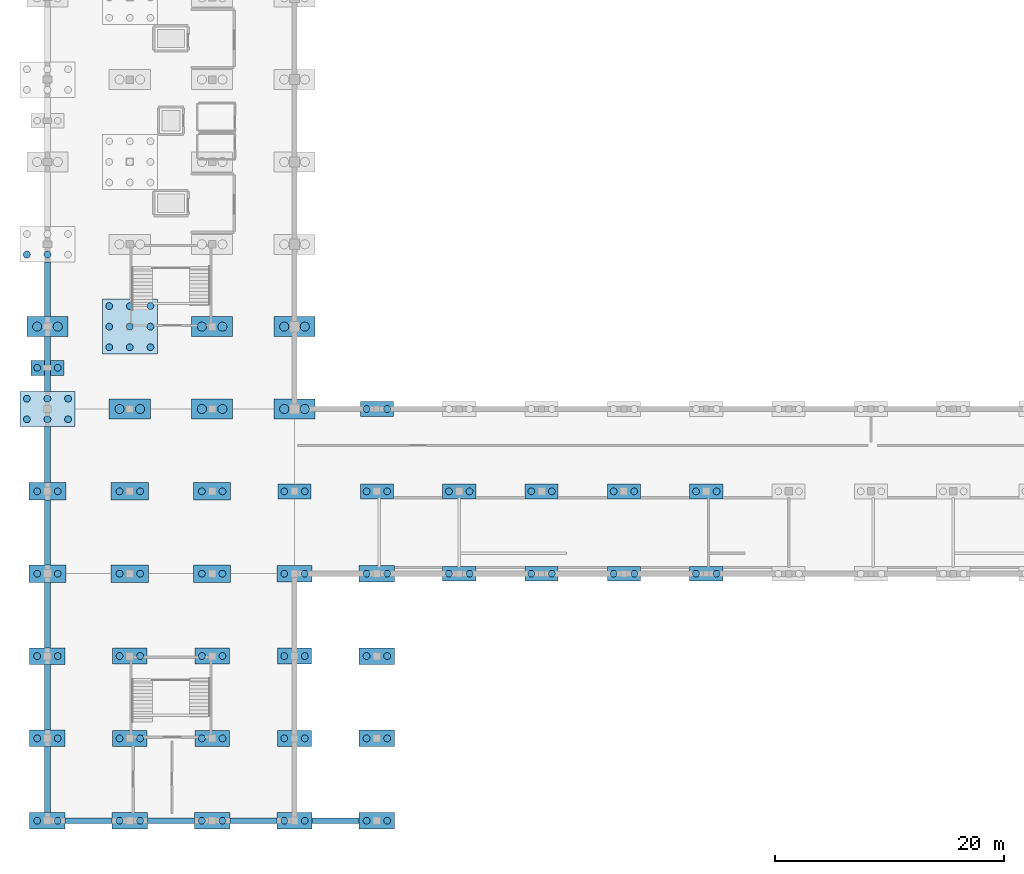
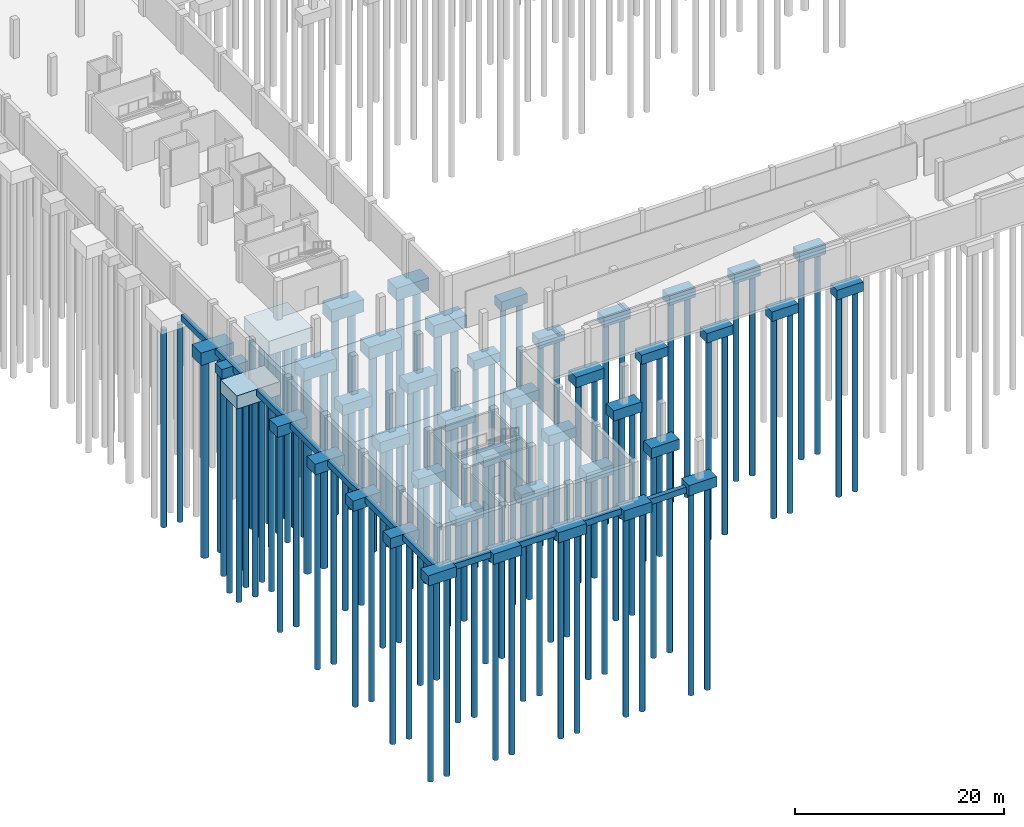
# One storey, part 1 of 18: 99 piles, 54 footings.
"""IFC4 building model written with IfcOpenShell, lengths in metres."""

from ifc_helpers import new_model, si_unit, direction, frame, origin, origin_2d, place, context, subcontext, project, spatial, rectangle, circle, extrude, material, material_profile, profile_set, type_object, element, save


model = new_model("IFC4")

# Units and contexts
model_context = context("Model", 3, precision=1e-05, world=origin(), true_north=direction((0.0, 1.0)))
body_context = subcontext(model_context, "Body", "Model", "MODEL_VIEW")
ifc_project = project(units=[si_unit("LENGTHUNIT", "METRE"), si_unit("AREAUNIT", "SQUARE_METRE"), si_unit("VOLUMEUNIT", "CUBIC_METRE"), si_unit("PLANEANGLEUNIT", "RADIAN"), si_unit("MASSUNIT", "GRAM", prefix="KILO")], contexts=[model_context])

# Site, building, storey
site_placement = place(None, origin())
site = spatial("IfcSite", under=ifc_project, at=site_placement, CompositionType="ELEMENT")
building_placement = place(site_placement, origin())
building = spatial("IfcBuilding", under=site, at=building_placement, Name="Kangsadwip Square Police Headquarters", CompositionType="ELEMENT")
storey_placement = place(building_placement, frame((0.0, 0.0, -4.5)))
storey = spatial("IfcBuildingStorey", under=building, at=storey_placement, Name="B1", CompositionType="ELEMENT", Elevation=-4.5)

# Piles
ifc_material_1 = material(Name="Concrete M30 (30 MPa)", Category="concrete")
ifc_material_profile_1 = material_profile(ifc_material_1, circle(Radius=0.300048828125, at=origin_2d()), Name="PILE DIA 600")
ifc_profile_set_1 = profile_set([ifc_material_profile_1], Name="Concrete M30 (30 MPa)")
pile_type_1 = type_object("IfcPileType", Name="BoredPileDia600", PredefinedType="BORED", material=ifc_profile_set_1)
for number, where, z_axis, x_axis, name in (
    (1, (-0.89990234375, 0.0, -1.550048828125), (0.0, 0.0, -1.0), (1.0, 0.0, 0.0), "Bored Pile PILE-B1--009-0000"),
    (2, (0.89990234375, 0.0, -1.550048828125), (0.0, 0.0, -1.0), (1.0, 0.0, 0.0), "Bored Pile PILE-B1-0009-0000"),
    (3, (-0.89990234375, 7.199951171875, -1.550048828125), (0.0, 0.0, -1.0), (1.0, 0.0, 0.0), "Bored Pile PILE-B1--009-0072"),
    (4, (0.89990234375, 7.199951171875, -1.550048828125), (0.0, 0.0, -1.0), (1.0, 0.0, 0.0), "Bored Pile PILE-B1-0009-0072"),
    (5, (-0.89990234375, 14.39990234375, -1.550048828125), (0.0, 0.0, -1.0), (1.0, 0.0, 0.0), "Bored Pile PILE-B1--009-0144"),
    (6, (0.89990234375, 14.39990234375, -1.550048828125), (0.0, 0.0, -1.0), (1.0, 0.0, 0.0), "Bored Pile PILE-B1-0009-0144"),
):
    element("IfcPile", number, at=place(storey_placement, frame(where, z_axis=z_axis, x_axis=x_axis)), inside=storey, type_object=pile_type_1, Name=name, PredefinedType="BORED", context=body_context, shape_type="SweptSolid", body=[
        extrude(circle(Radius=0.300048828125, at=origin_2d()), origin(), (0.0, 0.0, 1.0), 23.449951171875),
    ])
for number, where, z_axis, x_axis, name in (
    (7, (-0.89990234375, 21.60009765625, -1.60009765625), (0.0, 0.0, -1.0), (1.0, 0.0, 0.0), "Bored Pile PILE-B1--009-0216"),
    (8, (0.89990234375, 21.60009765625, -1.60009765625), (0.0, 0.0, -1.0), (1.0, 0.0, 0.0), "Bored Pile PILE-B1-0009-0216"),
    (9, (-0.89990234375, 28.800048828125, -1.60009765625), (0.0, 0.0, -1.0), (1.0, 0.0, 0.0), "Bored Pile PILE-B1--009-0288"),
    (10, (0.89990234375, 28.800048828125, -1.60009765625), (0.0, 0.0, -1.0), (1.0, 0.0, 0.0), "Bored Pile PILE-B1-0009-0288"),
):
    element("IfcPile", number, at=place(storey_placement, frame(where, z_axis=z_axis, x_axis=x_axis)), inside=storey, type_object=pile_type_1, Name=name, PredefinedType="BORED", context=body_context, shape_type="SweptSolid", body=[
        extrude(circle(Radius=0.300048828125, at=origin_2d()), origin(), (0.0, 0.0, 1.0), 23.39990234375),
    ])
for number, where, z_axis, x_axis, name in (
    (11, (-1.800048828125, 35.10009765625, -1.89990234375), (0.0, 0.0, -1.0), (1.0, 0.0, 0.0), "Bored Pile PILE-B1--018-0351"),
    (12, (0.0, 35.10009765625, -1.89990234375), (0.0, 0.0, -1.0), (1.0, 0.0, 0.0), "Bored Pile PILE-B1-0000-0351"),
    (13, (1.800048828125, 35.10009765625, -1.89990234375), (0.0, 0.0, -1.0), (1.0, 0.0, 0.0), "Bored Pile PILE-B1-0018-0351"),
    (14, (-1.800048828125, 36.89990234375, -1.89990234375), (0.0, 0.0, -1.0), (1.0, 0.0, 0.0), "Bored Pile PILE-B1--018-0369"),
    (15, (0.0, 36.89990234375, -1.89990234375), (0.0, 0.0, -1.0), (1.0, 0.0, 0.0), "Bored Pile PILE-B1-0000-0369"),
    (16, (1.800048828125, 36.89990234375, -1.89990234375), (0.0, 0.0, -1.0), (1.0, 0.0, 0.0), "Bored Pile PILE-B1-0018-0369"),
    (17, (-1.800048828125, 49.5, -1.89990234375), (0.0, 0.0, -1.0), (1.0, 0.0, 0.0), "Bored Pile PILE-B1--018-0495"),
    (18, (0.0, 49.5, -1.89990234375), (0.0, 0.0, -1.0), (1.0, 0.0, 0.0), "Bored Pile PILE-B1-0000-0495"),
):
    element("IfcPile", number, at=place(storey_placement, frame(where, z_axis=z_axis, x_axis=x_axis)), inside=storey, type_object=pile_type_1, Name=name, PredefinedType="BORED", context=body_context, shape_type="SweptSolid", body=[
        extrude(circle(Radius=0.300048828125, at=origin_2d()), origin(), (0.0, 0.0, 1.0), 23.10009765625),
    ])
for number, where, z_axis, x_axis, name in (
    (19, (6.300048828125, 0.0, -1.550048828125), (0.0, 0.0, -1.0), (1.0, 0.0, 0.0), "Bored Pile PILE-B1-0063-0000"),
    (20, (8.10009765625, 0.0, -1.550048828125), (0.0, 0.0, -1.0), (1.0, 0.0, 0.0), "Bored Pile PILE-B1-0081-0000"),
):
    element("IfcPile", number, at=place(storey_placement, frame(where, z_axis=z_axis, x_axis=x_axis)), inside=storey, type_object=pile_type_1, Name=name, PredefinedType="BORED", context=body_context, shape_type="SweptSolid", body=[
        extrude(circle(Radius=0.300048828125, at=origin_2d()), origin(), (0.0, 0.0, 1.0), 23.449951171875),
    ])
for number, where, z_axis, x_axis, name in (
    (21, (6.300048828125, 7.199951171875, -1.5), (0.0, 0.0, -1.0), (1.0, 0.0, 0.0), "Bored Pile PILE-B1-0063-0072"),
    (22, (8.10009765625, 7.199951171875, -1.5), (0.0, 0.0, -1.0), (1.0, 0.0, 0.0), "Bored Pile PILE-B1-0081-0072"),
    (23, (6.300048828125, 14.39990234375, -1.5), (0.0, 0.0, -1.0), (1.0, 0.0, 0.0), "Bored Pile PILE-B1-0063-0144"),
    (24, (8.10009765625, 14.39990234375, -1.5), (0.0, 0.0, -1.0), (1.0, 0.0, 0.0), "Bored Pile PILE-B1-0081-0144"),
):
    element("IfcPile", number, at=place(storey_placement, frame(where, z_axis=z_axis, x_axis=x_axis)), inside=storey, type_object=pile_type_1, Name=name, PredefinedType="BORED", context=body_context, shape_type="SweptSolid", body=[
        extrude(circle(Radius=0.300048828125, at=origin_2d()), origin(), (0.0, 0.0, 1.0), 23.5),
    ])
for number, where, z_axis, x_axis, name in (
    (25, (6.300048828125, 21.60009765625, -1.60009765625), (0.0, 0.0, -1.0), (1.0, 0.0, 0.0), "Bored Pile PILE-B1-0063-0216"),
    (26, (8.10009765625, 21.60009765625, -1.60009765625), (0.0, 0.0, -1.0), (1.0, 0.0, 0.0), "Bored Pile PILE-B1-0081-0216"),
    (27, (6.300048828125, 28.800048828125, -1.60009765625), (0.0, 0.0, -1.0), (1.0, 0.0, 0.0), "Bored Pile PILE-B1-0063-0288"),
    (28, (8.10009765625, 28.800048828125, -1.60009765625), (0.0, 0.0, -1.0), (1.0, 0.0, 0.0), "Bored Pile PILE-B1-0081-0288"),
):
    element("IfcPile", number, at=place(storey_placement, frame(where, z_axis=z_axis, x_axis=x_axis)), inside=storey, type_object=pile_type_1, Name=name, PredefinedType="BORED", context=body_context, shape_type="SweptSolid", body=[
        extrude(circle(Radius=0.300048828125, at=origin_2d()), origin(), (0.0, 0.0, 1.0), 23.39990234375),
    ])
for number, where, z_axis, x_axis, name in (
    (29, (5.39990234375, 41.39990234375, -2.0), (0.0, 0.0, -1.0), (1.0, 0.0, 0.0), "Bored Pile PILE-B1-0054-0414"),
    (30, (7.199951171875, 41.39990234375, -2.0), (0.0, 0.0, -1.0), (1.0, 0.0, 0.0), "Bored Pile PILE-B1-0072-0414"),
    (31, (9.0, 41.39990234375, -2.0), (0.0, 0.0, -1.0), (1.0, 0.0, 0.0), "Bored Pile PILE-B1-0090-0414"),
    (32, (5.39990234375, 43.199951171875, -2.0), (0.0, 0.0, -1.0), (1.0, 0.0, 0.0), "Bored Pile PILE-B1-0054-0432"),
    (33, (7.199951171875, 43.199951171875, -2.0), (0.0, 0.0, -1.0), (1.0, 0.0, 0.0), "Bored Pile PILE-B1-0072-0432"),
    (34, (9.0, 43.199951171875, -2.0), (0.0, 0.0, -1.0), (1.0, 0.0, 0.0), "Bored Pile PILE-B1-0090-0432"),
    (35, (5.39990234375, 45.0, -2.0), (0.0, 0.0, -1.0), (1.0, 0.0, 0.0), "Bored Pile PILE-B1-0054-0450"),
    (36, (7.199951171875, 45.0, -2.0), (0.0, 0.0, -1.0), (1.0, 0.0, 0.0), "Bored Pile PILE-B1-0072-0450"),
    (37, (9.0, 45.0, -2.0), (0.0, 0.0, -1.0), (1.0, 0.0, 0.0), "Bored Pile PILE-B1-0090-0450"),
):
    element("IfcPile", number, at=place(storey_placement, frame(where, z_axis=z_axis, x_axis=x_axis)), inside=storey, type_object=pile_type_1, Name=name, PredefinedType="BORED", context=body_context, shape_type="SweptSolid", body=[
        extrude(circle(Radius=0.300048828125, at=origin_2d()), origin(), (0.0, 0.0, 1.0), 23.0),
    ])
for number, where, z_axis, x_axis, name in (
    (38, (13.5, 0.0, -1.550048828125), (0.0, 0.0, -1.0), (1.0, 0.0, 0.0), "Bored Pile PILE-B1-0135-0000"),
    (39, (15.300048828125, 0.0, -1.550048828125), (0.0, 0.0, -1.0), (1.0, 0.0, 0.0), "Bored Pile PILE-B1-0153-0000"),
):
    element("IfcPile", number, at=place(storey_placement, frame(where, z_axis=z_axis, x_axis=x_axis)), inside=storey, type_object=pile_type_1, Name=name, PredefinedType="BORED", context=body_context, shape_type="SweptSolid", body=[
        extrude(circle(Radius=0.300048828125, at=origin_2d()), origin(), (0.0, 0.0, 1.0), 23.449951171875),
    ])
for number, where, z_axis, x_axis, name in (
    (40, (13.5, 7.199951171875, -1.5), (0.0, 0.0, -1.0), (1.0, 0.0, 0.0), "Bored Pile PILE-B1-0135-0072"),
    (41, (15.300048828125, 7.199951171875, -1.5), (0.0, 0.0, -1.0), (1.0, 0.0, 0.0), "Bored Pile PILE-B1-0153-0072"),
    (42, (13.5, 14.39990234375, -1.5), (0.0, 0.0, -1.0), (1.0, 0.0, 0.0), "Bored Pile PILE-B1-0135-0144"),
    (43, (15.300048828125, 14.39990234375, -1.5), (0.0, 0.0, -1.0), (1.0, 0.0, 0.0), "Bored Pile PILE-B1-0153-0144"),
):
    element("IfcPile", number, at=place(storey_placement, frame(where, z_axis=z_axis, x_axis=x_axis)), inside=storey, type_object=pile_type_1, Name=name, PredefinedType="BORED", context=body_context, shape_type="SweptSolid", body=[
        extrude(circle(Radius=0.300048828125, at=origin_2d()), origin(), (0.0, 0.0, 1.0), 23.5),
    ])
for number, where, z_axis, x_axis, name in (
    (44, (13.5, 21.60009765625, -1.60009765625), (0.0, 0.0, -1.0), (1.0, 0.0, 0.0), "Bored Pile PILE-B1-0135-0216"),
    (45, (15.300048828125, 21.60009765625, -1.60009765625), (0.0, 0.0, -1.0), (1.0, 0.0, 0.0), "Bored Pile PILE-B1-0153-0216"),
    (46, (13.5, 28.800048828125, -1.60009765625), (0.0, 0.0, -1.0), (1.0, 0.0, 0.0), "Bored Pile PILE-B1-0135-0288"),
    (47, (15.300048828125, 28.800048828125, -1.60009765625), (0.0, 0.0, -1.0), (1.0, 0.0, 0.0), "Bored Pile PILE-B1-0153-0288"),
):
    element("IfcPile", number, at=place(storey_placement, frame(where, z_axis=z_axis, x_axis=x_axis)), inside=storey, type_object=pile_type_1, Name=name, PredefinedType="BORED", context=body_context, shape_type="SweptSolid", body=[
        extrude(circle(Radius=0.300048828125, at=origin_2d()), origin(), (0.0, 0.0, 1.0), 23.39990234375),
    ])
for number, where, z_axis, x_axis, name in (
    (48, (20.699951171875, 0.0, -1.550048828125), (0.0, 0.0, -1.0), (1.0, 0.0, 0.0), "Bored Pile PILE-B1-0207-0000"),
    (49, (22.5, 0.0, -1.550048828125), (0.0, 0.0, -1.0), (1.0, 0.0, 0.0), "Bored Pile PILE-B1-0225-0000"),
):
    element("IfcPile", number, at=place(storey_placement, frame(where, z_axis=z_axis, x_axis=x_axis)), inside=storey, type_object=pile_type_1, Name=name, PredefinedType="BORED", context=body_context, shape_type="SweptSolid", body=[
        extrude(circle(Radius=0.300048828125, at=origin_2d()), origin(), (0.0, 0.0, 1.0), 23.449951171875),
    ])
for number, where, z_axis, x_axis, name in (
    (50, (20.699951171875, 7.199951171875, -1.5), (0.0, 0.0, -1.0), (1.0, 0.0, 0.0), "Bored Pile PILE-B1-0207-0072"),
    (51, (22.5, 7.199951171875, -1.5), (0.0, 0.0, -1.0), (1.0, 0.0, 0.0), "Bored Pile PILE-B1-0225-0072"),
    (52, (20.699951171875, 14.39990234375, -1.5), (0.0, 0.0, -1.0), (1.0, 0.0, 0.0), "Bored Pile PILE-B1-0207-0144"),
    (53, (22.5, 14.39990234375, -1.5), (0.0, 0.0, -1.0), (1.0, 0.0, 0.0), "Bored Pile PILE-B1-0225-0144"),
):
    element("IfcPile", number, at=place(storey_placement, frame(where, z_axis=z_axis, x_axis=x_axis)), inside=storey, type_object=pile_type_1, Name=name, PredefinedType="BORED", context=body_context, shape_type="SweptSolid", body=[
        extrude(circle(Radius=0.300048828125, at=origin_2d()), origin(), (0.0, 0.0, 1.0), 23.5),
    ])
for number, where, z_axis, x_axis, name in (
    (54, (20.699951171875, 21.60009765625, -1.550048828125), (0.0, 0.0, -1.0), (1.0, 0.0, 0.0), "Bored Pile PILE-B1-0207-0216"),
    (55, (22.5, 21.60009765625, -1.550048828125), (0.0, 0.0, -1.0), (1.0, 0.0, 0.0), "Bored Pile PILE-B1-0225-0216"),
):
    element("IfcPile", number, at=place(storey_placement, frame(where, z_axis=z_axis, x_axis=x_axis)), inside=storey, type_object=pile_type_1, Name=name, PredefinedType="BORED", context=body_context, shape_type="SweptSolid", body=[
        extrude(circle(Radius=0.300048828125, at=origin_2d()), origin(), (0.0, 0.0, 1.0), 23.449951171875),
    ])
for number, where, z_axis, x_axis, name in (
    (56, (20.699951171875, 28.800048828125, -1.449951171875), (0.0, 0.0, -1.0), (1.0, 0.0, 0.0), "Bored Pile PILE-B1-0207-0288"),
    (57, (22.5, 28.800048828125, -1.449951171875), (0.0, 0.0, -1.0), (1.0, 0.0, 0.0), "Bored Pile PILE-B1-0225-0288"),
):
    element("IfcPile", number, at=place(storey_placement, frame(where, z_axis=z_axis, x_axis=x_axis)), inside=storey, type_object=pile_type_1, Name=name, PredefinedType="BORED", context=body_context, shape_type="SweptSolid", body=[
        extrude(circle(Radius=0.300048828125, at=origin_2d()), origin(), (0.0, 0.0, 1.0), 23.550048828125),
    ])
for number, where, z_axis, x_axis, name in (
    (58, (27.89990234375, 0.0, -1.10009765625), (0.0, 0.0, -1.0), (1.0, 0.0, 0.0), "Bored Pile PILE-B1-0279-0000"),
    (59, (29.699951171875, 0.0, -1.10009765625), (0.0, 0.0, -1.0), (1.0, 0.0, 0.0), "Bored Pile PILE-B1-0297-0000"),
    (60, (27.89990234375, 7.199951171875, -1.10009765625), (0.0, 0.0, -1.0), (1.0, 0.0, 0.0), "Bored Pile PILE-B1-0279-0072"),
    (61, (29.699951171875, 7.199951171875, -1.10009765625), (0.0, 0.0, -1.0), (1.0, 0.0, 0.0), "Bored Pile PILE-B1-0297-0072"),
    (62, (27.89990234375, 14.39990234375, -1.10009765625), (0.0, 0.0, -1.0), (1.0, 0.0, 0.0), "Bored Pile PILE-B1-0279-0144"),
    (63, (29.699951171875, 14.39990234375, -1.10009765625), (0.0, 0.0, -1.0), (1.0, 0.0, 0.0), "Bored Pile PILE-B1-0297-0144"),
):
    element("IfcPile", number, at=place(storey_placement, frame(where, z_axis=z_axis, x_axis=x_axis)), inside=storey, type_object=pile_type_1, Name=name, PredefinedType="BORED", context=body_context, shape_type="SweptSolid", body=[
        extrude(circle(Radius=0.300048828125, at=origin_2d()), origin(), (0.0, 0.0, 1.0), 23.89990234375),
    ])
for number, where, z_axis, x_axis, name in (
    (64, (27.89990234375, 21.60009765625, -1.550048828125), (0.0, 0.0, -1.0), (1.0, 0.0, 0.0), "Bored Pile PILE-B1-0279-0216"),
    (65, (29.699951171875, 21.60009765625, -1.550048828125), (0.0, 0.0, -1.0), (1.0, 0.0, 0.0), "Bored Pile PILE-B1-0297-0216"),
):
    element("IfcPile", number, at=place(storey_placement, frame(where, z_axis=z_axis, x_axis=x_axis)), inside=storey, type_object=pile_type_1, Name=name, PredefinedType="BORED", context=body_context, shape_type="SweptSolid", body=[
        extrude(circle(Radius=0.300048828125, at=origin_2d()), origin(), (0.0, 0.0, 1.0), 23.449951171875),
    ])
for number, where, z_axis, x_axis, name in (
    (66, (27.89990234375, 28.800048828125, -1.449951171875), (0.0, 0.0, -1.0), (1.0, 0.0, 0.0), "Bored Pile PILE-B1-0279-0288"),
    (67, (29.699951171875, 28.800048828125, -1.449951171875), (0.0, 0.0, -1.0), (1.0, 0.0, 0.0), "Bored Pile PILE-B1-0297-0288"),
    (68, (27.89990234375, 36.0, -1.449951171875), (0.0, 0.0, -1.0), (1.0, 0.0, 0.0), "Bored Pile PILE-B1-0279-0360"),
    (69, (29.699951171875, 36.0, -1.449951171875), (0.0, 0.0, -1.0), (1.0, 0.0, 0.0), "Bored Pile PILE-B1-0297-0360"),
    (70, (35.10009765625, 21.60009765625, -1.449951171875), (0.0, 0.0, -1.0), (1.0, 0.0, 0.0), "Bored Pile PILE-B1-0351-0216"),
    (71, (36.89990234375, 21.60009765625, -1.449951171875), (0.0, 0.0, -1.0), (1.0, 0.0, 0.0), "Bored Pile PILE-B1-0369-0216"),
    (72, (35.10009765625, 28.800048828125, -1.449951171875), (0.0, 0.0, -1.0), (1.0, 0.0, 0.0), "Bored Pile PILE-B1-0351-0288"),
    (73, (36.89990234375, 28.800048828125, -1.449951171875), (0.0, 0.0, -1.0), (1.0, 0.0, 0.0), "Bored Pile PILE-B1-0369-0288"),
    (74, (42.300048828125, 21.60009765625, -1.449951171875), (0.0, 0.0, -1.0), (1.0, 0.0, 0.0), "Bored Pile PILE-B1-0423-0216"),
    (75, (44.10009765625, 21.60009765625, -1.449951171875), (0.0, 0.0, -1.0), (1.0, 0.0, 0.0), "Bored Pile PILE-B1-0441-0216"),
    (76, (42.300048828125, 28.800048828125, -1.449951171875), (0.0, 0.0, -1.0), (1.0, 0.0, 0.0), "Bored Pile PILE-B1-0423-0288"),
    (77, (44.10009765625, 28.800048828125, -1.449951171875), (0.0, 0.0, -1.0), (1.0, 0.0, 0.0), "Bored Pile PILE-B1-0441-0288"),
    (78, (49.5, 21.60009765625, -1.449951171875), (0.0, 0.0, -1.0), (1.0, 0.0, 0.0), "Bored Pile PILE-B1-0495-0216"),
    (79, (51.300048828125, 21.60009765625, -1.449951171875), (0.0, 0.0, -1.0), (1.0, 0.0, 0.0), "Bored Pile PILE-B1-0513-0216"),
    (80, (49.5, 28.800048828125, -1.449951171875), (0.0, 0.0, -1.0), (1.0, 0.0, 0.0), "Bored Pile PILE-B1-0495-0288"),
    (81, (51.300048828125, 28.800048828125, -1.449951171875), (0.0, 0.0, -1.0), (1.0, 0.0, 0.0), "Bored Pile PILE-B1-0513-0288"),
    (82, (56.699951171875, 21.60009765625, -1.449951171875), (0.0, 0.0, -1.0), (1.0, 0.0, 0.0), "Bored Pile PILE-B1-0567-0216"),
    (83, (58.5, 21.60009765625, -1.449951171875), (0.0, 0.0, -1.0), (1.0, 0.0, 0.0), "Bored Pile PILE-B1-0585-0216"),
    (84, (56.699951171875, 28.800048828125, -1.449951171875), (0.0, 0.0, -1.0), (1.0, 0.0, 0.0), "Bored Pile PILE-B1-0567-0288"),
    (85, (58.5, 28.800048828125, -1.449951171875), (0.0, 0.0, -1.0), (1.0, 0.0, 0.0), "Bored Pile PILE-B1-0585-0288"),
    (86, (-0.89990234375, 39.60009765625, -1.449951171875), (0.0, 0.0, -1.0), (1.0, 0.0, 0.0), "Bored Pile PILE-B1--009-0396"),
    (87, (0.89990234375, 39.60009765625, -1.449951171875), (0.0, 0.0, -1.0), (1.0, 0.0, 0.0), "Bored Pile PILE-B1-0009-0396"),
):
    element("IfcPile", number, at=place(storey_placement, frame(where, z_axis=z_axis, x_axis=x_axis)), inside=storey, type_object=pile_type_1, Name=name, PredefinedType="BORED", context=body_context, shape_type="SweptSolid", body=[
        extrude(circle(Radius=0.300048828125, at=origin_2d()), origin(), (0.0, 0.0, 1.0), 23.550048828125),
    ])
ifc_material_2 = material(Name="Concrete M30 (30 MPa)", Category="concrete")
ifc_material_profile_2 = material_profile(ifc_material_2, circle(Radius=0.39990234375, at=origin_2d()), Name="PILE DIA 800")
ifc_profile_set_2 = profile_set([ifc_material_profile_2], Name="Concrete M30 (30 MPa)")
pile_type_2 = type_object("IfcPileType", Name="BoredPileDia800", PredefinedType="BORED", material=ifc_profile_set_2)
for number, where, z_axis, x_axis, name in (
    (88, (-0.89990234375, 43.199951171875, -1.800048828125), (0.0, 0.0, -1.0), (1.0, 0.0, 0.0), "Bored Pile PILE-B1--009-0432"),
    (89, (0.89990234375, 43.199951171875, -1.800048828125), (0.0, 0.0, -1.0), (1.0, 0.0, 0.0), "Bored Pile PILE-B1-0009-0432"),
    (90, (6.300048828125, 36.0, -1.800048828125), (0.0, 0.0, -1.0), (1.0, 0.0, 0.0), "Bored Pile PILE-B1-0063-0360"),
    (91, (8.10009765625, 36.0, -1.800048828125), (0.0, 0.0, -1.0), (1.0, 0.0, 0.0), "Bored Pile PILE-B1-0081-0360"),
    (92, (13.5, 36.0, -1.800048828125), (0.0, 0.0, -1.0), (1.0, 0.0, 0.0), "Bored Pile PILE-B1-0135-0360"),
    (93, (15.300048828125, 36.0, -1.800048828125), (0.0, 0.0, -1.0), (1.0, 0.0, 0.0), "Bored Pile PILE-B1-0153-0360"),
    (94, (13.5, 43.199951171875, -1.800048828125), (0.0, 0.0, -1.0), (1.0, 0.0, 0.0), "Bored Pile PILE-B1-0135-0432"),
    (95, (15.300048828125, 43.199951171875, -1.800048828125), (0.0, 0.0, -1.0), (1.0, 0.0, 0.0), "Bored Pile PILE-B1-0153-0432"),
    (96, (20.699951171875, 36.0, -1.800048828125), (0.0, 0.0, -1.0), (1.0, 0.0, 0.0), "Bored Pile PILE-B1-0207-0360"),
    (97, (22.5, 36.0, -1.800048828125), (0.0, 0.0, -1.0), (1.0, 0.0, 0.0), "Bored Pile PILE-B1-0225-0360"),
    (98, (20.699951171875, 43.199951171875, -1.800048828125), (0.0, 0.0, -1.0), (1.0, 0.0, 0.0), "Bored Pile PILE-B1-0207-0432"),
    (99, (22.5, 43.199951171875, -1.800048828125), (0.0, 0.0, -1.0), (1.0, 0.0, 0.0), "Bored Pile PILE-B1-0225-0432"),
):
    element("IfcPile", number, at=place(storey_placement, frame(where, z_axis=z_axis, x_axis=x_axis)), inside=storey, type_object=pile_type_2, Name=name, PredefinedType="BORED", context=body_context, shape_type="SweptSolid", body=[
        extrude(circle(Radius=0.39990234375, at=origin_2d()), origin(), (0.0, 0.0, 1.0), 23.199951171875),
    ])

# Footings
ifc_material_3 = material(Name="Concrete M35 (35 MPa)", Category="concrete")
footing_type_1 = type_object("IfcFootingType", Name="PileCap2P2900x1300x1100", PredefinedType="PILE_CAP", material=ifc_material_3)
for number, where, z_axis, x_axis, name in (
    (100, (21.60009765625, 28.800048828125, -1.550048828125), (0.0, 0.0, 1.0), (1.0, 0.0, 0.0), "Pile Cap PC-B1-056"),
    (101, (28.800048828125, 28.800048828125, -1.550048828125), (0.0, 0.0, 1.0), (1.0, 0.0, 0.0), "Pile Cap PC-B1-073"),
    (102, (28.800048828125, 36.0, -1.550048828125), (0.0, 0.0, 1.0), (1.0, 0.0, 0.0), "Pile Cap PC-B1-074"),
    (103, (36.0, 21.60009765625, -1.550048828125), (0.0, 0.0, 1.0), (1.0, 0.0, 0.0), "Pile Cap PC-B1-079"),
    (104, (36.0, 28.800048828125, -1.550048828125), (0.0, 0.0, 1.0), (1.0, 0.0, 0.0), "Pile Cap PC-B1-080"),
    (105, (43.199951171875, 21.60009765625, -1.550048828125), (0.0, 0.0, 1.0), (1.0, 0.0, 0.0), "Pile Cap PC-B1-087"),
    (106, (43.199951171875, 28.800048828125, -1.550048828125), (0.0, 0.0, 1.0), (1.0, 0.0, 0.0), "Pile Cap PC-B1-088"),
    (107, (50.39990234375, 21.60009765625, -1.550048828125), (0.0, 0.0, 1.0), (1.0, 0.0, 0.0), "Pile Cap PC-B1-095"),
    (108, (50.39990234375, 28.800048828125, -1.550048828125), (0.0, 0.0, 1.0), (1.0, 0.0, 0.0), "Pile Cap PC-B1-096"),
    (109, (57.60009765625, 21.60009765625, -1.550048828125), (0.0, 0.0, 1.0), (1.0, 0.0, 0.0), "Pile Cap PC-B1-103"),
    (110, (57.60009765625, 28.800048828125, -1.550048828125), (0.0, 0.0, 1.0), (1.0, 0.0, 0.0), "Pile Cap PC-B1-104"),
    (111, (0.0, 39.60009765625, -1.550048828125), (0.0, 0.0, 1.0), (1.0, 0.0, 0.0), "Pile Cap PC-B1-249"),
):
    element("IfcFooting", number, at=place(storey_placement, frame(where, z_axis=z_axis, x_axis=x_axis)), inside=storey, type_object=footing_type_1, Name=name, PredefinedType="PILE_CAP", context=body_context, shape_type="SweptSolid", body=[
        extrude(rectangle(XDim=2.89990234375, YDim=1.300048828125, at=origin_2d()), origin(), (0.0, 0.0, 1.0), 1.10009765625),
    ])
ifc_material_4 = material(Name="Concrete M35 (35 MPa)", Category="concrete")
footing_type_2 = type_object("IfcFootingType", Name="PileCap2P3000x1400x1150", PredefinedType="PILE_CAP", material=ifc_material_4)
for number, where, z_axis, x_axis, name in (
    (112, (7.199951171875, 7.199951171875, -1.599853515625), (0.0, 0.0, 1.0), (1.0, 0.0, 0.0), "Pile Cap PC-B1-019"),
    (113, (7.199951171875, 14.39990234375, -1.599853515625), (0.0, 0.0, 1.0), (1.0, 0.0, 0.0), "Pile Cap PC-B1-020"),
    (114, (14.39990234375, 7.199951171875, -1.599853515625), (0.0, 0.0, 1.0), (1.0, 0.0, 0.0), "Pile Cap PC-B1-036"),
    (115, (14.39990234375, 14.39990234375, -1.599853515625), (0.0, 0.0, 1.0), (1.0, 0.0, 0.0), "Pile Cap PC-B1-037"),
    (116, (21.60009765625, 7.199951171875, -1.599853515625), (0.0, 0.0, 1.0), (1.0, 0.0, 0.0), "Pile Cap PC-B1-053"),
    (117, (21.60009765625, 14.39990234375, -1.599853515625), (0.0, 0.0, 1.0), (1.0, 0.0, 0.0), "Pile Cap PC-B1-054"),
):
    element("IfcFooting", number, at=place(storey_placement, frame(where, z_axis=z_axis, x_axis=x_axis)), inside=storey, type_object=footing_type_2, Name=name, PredefinedType="PILE_CAP", context=body_context, shape_type="SweptSolid", body=[
        extrude(rectangle(XDim=3.0, YDim=1.39990234375, at=origin_2d()), origin(), (0.0, 0.0, 1.0), 1.14990234375),
    ])
ifc_material_5 = material(Name="Concrete M35 (35 MPa)", Category="concrete")
footing_type_3 = type_object("IfcFootingType", Name="PileCap2P3100x1450x1200", PredefinedType="PILE_CAP", material=ifc_material_5)
for number, where, z_axis, x_axis, name in (
    (118, (0.0, 0.0, -1.64990234375), (0.0, 0.0, 1.0), (1.0, 0.0, 0.0), "Pile Cap PC-B1-001"),
    (119, (0.0, 7.199951171875, -1.64990234375), (0.0, 0.0, 1.0), (1.0, 0.0, 0.0), "Pile Cap PC-B1-002"),
    (120, (0.0, 14.39990234375, -1.64990234375), (0.0, 0.0, 1.0), (1.0, 0.0, 0.0), "Pile Cap PC-B1-003"),
    (121, (7.199951171875, 0.0, -1.64990234375), (0.0, 0.0, 1.0), (1.0, 0.0, 0.0), "Pile Cap PC-B1-018"),
    (122, (14.39990234375, 0.0, -1.64990234375), (0.0, 0.0, 1.0), (1.0, 0.0, 0.0), "Pile Cap PC-B1-035"),
    (123, (21.60009765625, 0.0, -1.64990234375), (0.0, 0.0, 1.0), (1.0, 0.0, 0.0), "Pile Cap PC-B1-052"),
    (124, (21.60009765625, 21.60009765625, -1.64990234375), (0.0, 0.0, 1.0), (1.0, 0.0, 0.0), "Pile Cap PC-B1-055"),
    (125, (28.800048828125, 0.0, -1.2001953125), (0.0, 0.0, 1.0), (1.0, 0.0, 0.0), "Pile Cap PC-B1-069"),
    (126, (28.800048828125, 7.199951171875, -1.2001953125), (0.0, 0.0, 1.0), (1.0, 0.0, 0.0), "Pile Cap PC-B1-070"),
    (127, (28.800048828125, 14.39990234375, -1.2001953125), (0.0, 0.0, 1.0), (1.0, 0.0, 0.0), "Pile Cap PC-B1-071"),
    (128, (28.800048828125, 21.60009765625, -1.64990234375), (0.0, 0.0, 1.0), (1.0, 0.0, 0.0), "Pile Cap PC-B1-072"),
):
    element("IfcFooting", number, at=place(storey_placement, frame(where, z_axis=z_axis, x_axis=x_axis)), inside=storey, type_object=footing_type_3, Name=name, PredefinedType="PILE_CAP", context=body_context, shape_type="SweptSolid", body=[
        extrude(rectangle(XDim=3.10009765625, YDim=1.449951171875, at=origin_2d()), origin(), (0.0, 0.0, 1.0), 1.199951171875),
    ])
ifc_material_6 = material(Name="Concrete M35 (35 MPa)", Category="concrete")
footing_type_4 = type_object("IfcFootingType", Name="PileCap2P3250x1550x1250", PredefinedType="PILE_CAP", material=ifc_material_6)
for number, where, z_axis, x_axis, name in (
    (129, (0.0, 21.60009765625, -1.699951171875), (0.0, 0.0, 1.0), (1.0, 0.0, 0.0), "Pile Cap PC-B1-004"),
    (130, (0.0, 28.800048828125, -1.699951171875), (0.0, 0.0, 1.0), (1.0, 0.0, 0.0), "Pile Cap PC-B1-005"),
    (131, (7.199951171875, 21.60009765625, -1.699951171875), (0.0, 0.0, 1.0), (1.0, 0.0, 0.0), "Pile Cap PC-B1-021"),
    (132, (7.199951171875, 28.800048828125, -1.699951171875), (0.0, 0.0, 1.0), (1.0, 0.0, 0.0), "Pile Cap PC-B1-022"),
    (133, (14.39990234375, 21.60009765625, -1.699951171875), (0.0, 0.0, 1.0), (1.0, 0.0, 0.0), "Pile Cap PC-B1-038"),
    (134, (14.39990234375, 28.800048828125, -1.699951171875), (0.0, 0.0, 1.0), (1.0, 0.0, 0.0), "Pile Cap PC-B1-039"),
):
    element("IfcFooting", number, at=place(storey_placement, frame(where, z_axis=z_axis, x_axis=x_axis)), inside=storey, type_object=footing_type_4, Name=name, PredefinedType="PILE_CAP", context=body_context, shape_type="SweptSolid", body=[
        extrude(rectangle(XDim=3.25, YDim=1.550048828125, at=origin_2d()), origin(), (0.0, 0.0, 1.0), 1.25),
    ])
ifc_material_7 = material(Name="Concrete M35 (35 MPa)", Category="concrete")
footing_type_5 = type_object("IfcFootingType", Name="PileCap2P3600x1750x1450", PredefinedType="PILE_CAP", material=ifc_material_7)
for number, where, z_axis, x_axis, name in (
    (135, (0.0, 43.199951171875, -1.89990234375), (0.0, 0.0, 1.0), (1.0, 0.0, 0.0), "Pile Cap PC-B1-007"),
    (136, (7.199951171875, 36.0, -1.89990234375), (0.0, 0.0, 1.0), (1.0, 0.0, 0.0), "Pile Cap PC-B1-023"),
    (137, (14.39990234375, 36.0, -1.89990234375), (0.0, 0.0, 1.0), (1.0, 0.0, 0.0), "Pile Cap PC-B1-040"),
    (138, (14.39990234375, 43.199951171875, -1.89990234375), (0.0, 0.0, 1.0), (1.0, 0.0, 0.0), "Pile Cap PC-B1-041"),
    (139, (21.60009765625, 36.0, -1.89990234375), (0.0, 0.0, 1.0), (1.0, 0.0, 0.0), "Pile Cap PC-B1-057"),
    (140, (21.60009765625, 43.199951171875, -1.89990234375), (0.0, 0.0, 1.0), (1.0, 0.0, 0.0), "Pile Cap PC-B1-058"),
):
    element("IfcFooting", number, at=place(storey_placement, frame(where, z_axis=z_axis, x_axis=x_axis)), inside=storey, type_object=footing_type_5, Name=name, PredefinedType="PILE_CAP", context=body_context, shape_type="SweptSolid", body=[
        extrude(rectangle(XDim=3.60009765625, YDim=1.75, at=origin_2d()), origin(), (0.0, 0.0, 1.0), 1.449951171875),
    ])
ifc_material_8 = material(Name="Concrete M35 (35 MPa)", Category="concrete")
footing_type_6 = type_object("IfcFootingType", Name="PileCap6P4800x3100x1550", PredefinedType="PILE_CAP", material=ifc_material_8)
footing_1_placement = place(storey_placement, frame((0.0, 36.0, -2.0), z_axis=(0.0, 0.0, 1.0), x_axis=(1.0, 0.0, 0.0)))
element("IfcFooting", 141, at=footing_1_placement, inside=storey, type_object=footing_type_6, Name="Pile Cap PC-B1-006", PredefinedType="PILE_CAP", context=body_context, shape_type="SweptSolid", body=[
    extrude(rectangle(XDim=4.800048828125, YDim=3.10009765625, at=origin_2d()), origin(), (0.0, 0.0, 1.0), 1.550048828125),
])
ifc_material_9 = material(Name="Concrete M35 (35 MPa)", Category="concrete")
footing_type_7 = type_object("IfcFootingType", Name="PileCap9P4800x4800x1650", PredefinedType="PILE_CAP", material=ifc_material_9)
footing_2_placement = place(storey_placement, frame((7.199951171875, 43.199951171875, -2.099853515625), z_axis=(0.0, 0.0, 1.0), x_axis=(1.0, 0.0, 0.0)))
element("IfcFooting", 142, at=footing_2_placement, inside=storey, type_object=footing_type_7, Name="Pile Cap PC-B1-024", PredefinedType="PILE_CAP", context=body_context, shape_type="SweptSolid", body=[
    extrude(rectangle(XDim=4.800048828125, YDim=4.800048828125, at=origin_2d()), origin(), (0.0, 0.0, 1.0), 1.64990234375),
])
ifc_material_10 = material(Name="Concrete M35 (35 MPa)", Category="concrete")
footing_type_8 = type_object("IfcFootingType", Name="TieGroundBeam4100x500", PredefinedType="FOOTING_BEAM", material=ifc_material_10)
for number, where, z_axis, x_axis, name in (
    (143, (3.60009765625, 0.0, -1.14990234375), (0.0, 0.0, 1.0), (1.0, 0.0, 0.0), "Foundation GB-B1-001"),
    (144, (10.800048828125, 0.0, -1.14990234375), (0.0, 0.0, 1.0), (1.0, 0.0, 0.0), "Foundation GB-B1-019"),
    (145, (18.0, 0.0, -1.14990234375), (0.0, 0.0, 1.0), (1.0, 0.0, 0.0), "Foundation GB-B1-021"),
    (146, (25.199951171875, 0.0, -1.14990234375), (0.0, 0.0, 1.0), (1.0, 0.0, 0.0), "Foundation GB-B1-023"),
):
    element("IfcFooting", number, at=place(storey_placement, frame(where, z_axis=z_axis, x_axis=x_axis)), inside=storey, type_object=footing_type_8, Name=name, PredefinedType="FOOTING_BEAM", context=body_context, shape_type="SweptSolid", body=[
        extrude(rectangle(XDim=4.10009765625, YDim=0.5, at=origin_2d()), origin(), (0.0, 0.0, 1.0), 0.699951171875),
    ])
ifc_material_11 = material(Name="Concrete M35 (35 MPa)", Category="concrete")
footing_type_9 = type_object("IfcFootingType", Name="TieGroundBeam4775x500", PredefinedType="FOOTING_BEAM", material=ifc_material_11)
for number, where, z_axis, x_axis, name in (
    (147, (0.0, 39.9375, -1.14990234375), (0.0, 0.0, 1.0), (0.0, 1.0, 0.0), "Foundation GB-B1-007"),
    (148, (0.0, 46.46240234375, -1.14990234375), (0.0, 0.0, 1.0), (0.0, 1.0, 0.0), "Foundation GB-B1-008"),
):
    element("IfcFooting", number, at=place(storey_placement, frame(where, z_axis=z_axis, x_axis=x_axis)), inside=storey, type_object=footing_type_9, Name=name, PredefinedType="FOOTING_BEAM", context=body_context, shape_type="SweptSolid", body=[
        extrude(rectangle(XDim=4.77490234375, YDim=0.5, at=origin_2d()), origin(), (0.0, 0.0, 1.0), 0.699951171875),
    ])
ifc_material_12 = material(Name="Concrete M35 (35 MPa)", Category="concrete")
footing_type_10 = type_object("IfcFootingType", Name="TieGroundBeam4875x500", PredefinedType="FOOTING_BEAM", material=ifc_material_12)
footing_3_placement = place(storey_placement, frame((0.0, 32.012451171875, -1.14990234375), z_axis=(0.0, 0.0, 1.0), x_axis=(0.0, 1.0, 0.0)))
element("IfcFooting", 149, at=footing_3_placement, inside=storey, type_object=footing_type_10, Name="Foundation GB-B1-006", PredefinedType="FOOTING_BEAM", context=body_context, shape_type="SweptSolid", body=[
    extrude(rectangle(XDim=4.875, YDim=0.5, at=origin_2d()), origin(), (0.0, 0.0, 1.0), 0.699951171875),
])
ifc_material_13 = material(Name="Concrete M35 (35 MPa)", Category="concrete")
footing_type_11 = type_object("IfcFootingType", Name="TieGroundBeam5650x500", PredefinedType="FOOTING_BEAM", material=ifc_material_13)
footing_4_placement = place(storey_placement, frame((0.0, 25.199951171875, -1.14990234375), z_axis=(0.0, 0.0, 1.0), x_axis=(0.0, 1.0, 0.0)))
element("IfcFooting", 150, at=footing_4_placement, inside=storey, type_object=footing_type_11, Name="Foundation GB-B1-005", PredefinedType="FOOTING_BEAM", context=body_context, shape_type="SweptSolid", body=[
    extrude(rectangle(XDim=5.64990234375, YDim=0.5, at=origin_2d()), origin(), (0.0, 0.0, 1.0), 0.699951171875),
])
ifc_material_14 = material(Name="Concrete M35 (35 MPa)", Category="concrete")
footing_type_12 = type_object("IfcFootingType", Name="TieGroundBeam5700x500", PredefinedType="FOOTING_BEAM", material=ifc_material_14)
footing_5_placement = place(storey_placement, frame((0.0, 17.97509765625, -1.14990234375), z_axis=(0.0, 0.0, 1.0), x_axis=(0.0, 1.0, 0.0)))
element("IfcFooting", 151, at=footing_5_placement, inside=storey, type_object=footing_type_12, Name="Foundation GB-B1-004", PredefinedType="FOOTING_BEAM", context=body_context, shape_type="SweptSolid", body=[
    extrude(rectangle(XDim=5.699951171875, YDim=0.5, at=origin_2d()), origin(), (0.0, 0.0, 1.0), 0.699951171875),
])
ifc_material_15 = material(Name="Concrete M35 (35 MPa)", Category="concrete")
footing_type_13 = type_object("IfcFootingType", Name="TieGroundBeam5750x500", PredefinedType="FOOTING_BEAM", material=ifc_material_15)
for number, where, z_axis, x_axis, name in (
    (152, (0.0, 3.60009765625, -1.14990234375), (0.0, 0.0, 1.0), (0.0, 1.0, 0.0), "Foundation GB-B1-002"),
    (153, (0.0, 10.800048828125, -1.14990234375), (0.0, 0.0, 1.0), (0.0, 1.0, 0.0), "Foundation GB-B1-003"),
):
    element("IfcFooting", number, at=place(storey_placement, frame(where, z_axis=z_axis, x_axis=x_axis)), inside=storey, type_object=footing_type_13, Name=name, PredefinedType="FOOTING_BEAM", context=body_context, shape_type="SweptSolid", body=[
        extrude(rectangle(XDim=5.75, YDim=0.5, at=origin_2d()), origin(), (0.0, 0.0, 1.0), 0.699951171875),
    ])

save(model, "model.ifc")
